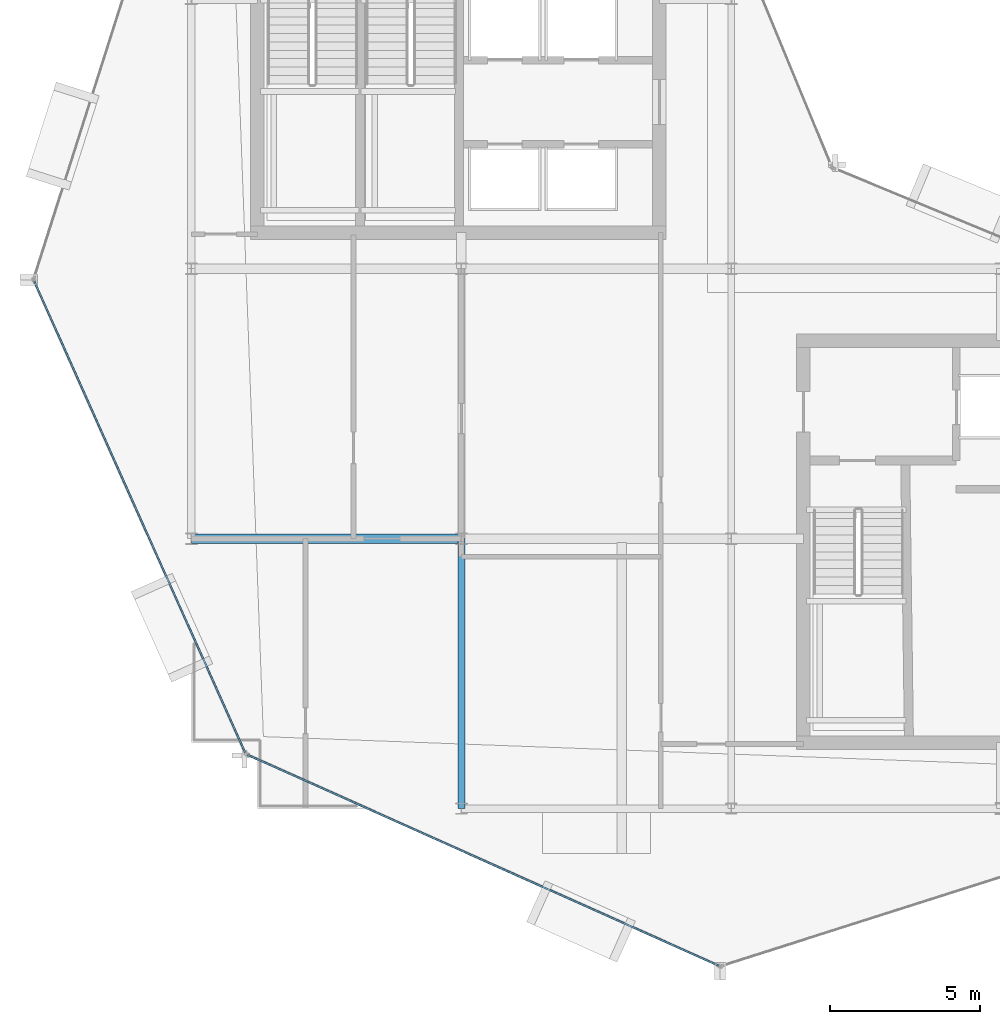
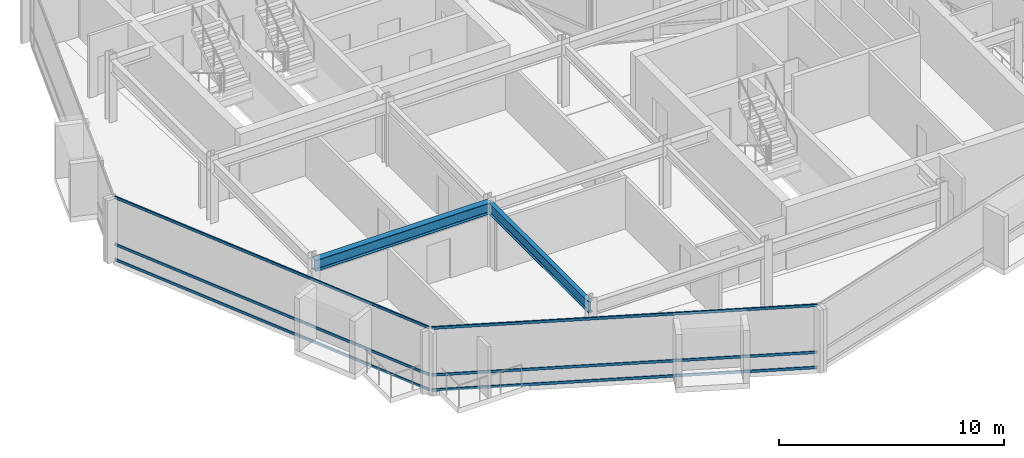
# One storey, part 3 of 19: 6 members, 2 beams, 2 elements without a shape of their own.
"""IFC4 building model written with IfcOpenShell, lengths in metres."""

from ifc_helpers import new_model, si_unit, direction, frame, origin, origin_2d, place, context, subcontext, project, spatial, hollow_rectangle, i_section, extrude, material, layer, layer_set, material_profile, profile_set, type_object, element, aggregate, save


model = new_model("IFC4")

# Units and contexts
model_context = context("Model", 3, precision=1e-05, world=origin(), true_north=direction((0.0, 1.0)))
body_context = subcontext(model_context, "Body", "Model", "MODEL_VIEW")
ifc_project = project(units=[si_unit("LENGTHUNIT", "METRE"), si_unit("AREAUNIT", "SQUARE_METRE"), si_unit("VOLUMEUNIT", "CUBIC_METRE"), si_unit("PLANEANGLEUNIT", "RADIAN"), si_unit("MASSUNIT", "GRAM", prefix="KILO")], contexts=[model_context])

# Site, building, storey
site_placement = place(None, origin())
site = spatial("IfcSite", under=ifc_project, at=site_placement, CompositionType="ELEMENT")
building_placement = place(site_placement, origin())
building = spatial("IfcBuilding", under=site, at=building_placement, Name="Solvaryn Broadcast Tower", CompositionType="ELEMENT")
storey_placement = place(building_placement, frame((0.0, 0.0, 274.10009765625)))
storey = spatial("IfcBuildingStorey", under=building, at=storey_placement, Name="L69", CompositionType="ELEMENT", Elevation=274.10009765625)

# Beams
ifc_material_1 = material(Name="Steel ASTM A992 Grade 50", Category="steel")
ifc_material_profile_1 = material_profile(ifc_material_1, i_section(OverallWidth=0.323974609375, OverallDepth=0.611083984375, WebThickness=0.0126953125, FlangeThickness=0.01904296875, FilletRadius=0.014892578125, at=origin_2d()))
ifc_profile_set_1 = profile_set([ifc_material_profile_1], Name="Steel ASTM A992 Grade 50")
beam_type_1 = type_object("IfcBeamType", Name="BM-B1-W24X104", PredefinedType="BEAM", material=ifc_profile_set_1)
beam_1_placement = place(storey_placement, frame((9.0, 18.0, 3.114501953125), z_axis=(1.0, 0.0, 0.0), x_axis=(0.0, 1.0, 0.0)))
element("IfcBeam", 1, at=beam_1_placement, inside=storey, type_object=beam_type_1, Name="L69 Primary Beam X (9-18 @ Y=18)", PredefinedType="BEAM", context=body_context, shape_type="SweptSolid", body=[
    extrude(i_section(OverallWidth=0.323974609375, OverallDepth=0.611083984375, WebThickness=0.0126953125, FlangeThickness=0.01904296875, FilletRadius=0.014892578125, at=origin_2d()), origin(), (0.0, 0.0, 1.0), 9.0),
])
ifc_material_2 = material(Name="Steel ASTM A992 Grade 50", Category="steel")
ifc_material_profile_2 = material_profile(ifc_material_2, i_section(OverallWidth=0.22802734375, OverallDepth=0.60791015625, WebThickness=0.01123046875, FlangeThickness=0.017333984375, FilletRadius=0.014892578125, at=origin_2d()))
ifc_profile_set_2 = profile_set([ifc_material_profile_2], Name="Steel ASTM A992 Grade 50")
beam_type_2 = type_object("IfcBeamType", Name="BM-B2-W24X76", PredefinedType="BEAM", material=ifc_profile_set_2)
beam_2_placement = place(storey_placement, frame((18.0, 9.0, 3.115966796875), z_axis=(0.0, 1.0, 0.0), x_axis=(-1.0, 0.0, 0.0)))
element("IfcBeam", 2, at=beam_2_placement, inside=storey, type_object=beam_type_2, Name="L69 Primary Beam Y (9-18 @ X=18)", PredefinedType="BEAM", context=body_context, shape_type="SweptSolid", body=[
    extrude(i_section(OverallWidth=0.22802734375, OverallDepth=0.60791015625, WebThickness=0.01123046875, FlangeThickness=0.017333984375, FilletRadius=0.014892578125, at=origin_2d()), origin(), (0.0, 0.0, 1.0), 9.0),
])

# Curtain wall, members
ifc_material_3 = material(Name="Aluminium and Terracotta Unitised Curtain Wall", Category="masonry")
ifc_layer = layer(ifc_material_3, 0.199951171875)
ifc_layer_set = layer_set([ifc_layer], Name="CW-SYS2-LOWMID")
curtain_wall_type = type_object("IfcCurtainWallType", Name="CW-SYS2-LOWMID", PredefinedType="NOTDEFINED", material=ifc_layer_set)
curtain_wall_1_placement = place(storey_placement, origin())
curtain_wall_1 = element("IfcCurtainWall", 3, at=curtain_wall_1_placement, inside=storey, type_object=curtain_wall_type, Name="L69 Curtain Wall DR2", PredefinedType="NOTDEFINED")
ifc_material_4 = material(Name="Anodised Aluminium 6063-T6", Category="aluminium")
ifc_material_profile_3 = material_profile(ifc_material_4, hollow_rectangle(XDim=0.06494140625, YDim=0.14990234375, WallThickness=0.00390625, InnerFilletRadius=0.00390625, OuterFilletRadius=0.008056640625, at=origin_2d()))
ifc_profile_set_3 = profile_set([ifc_material_profile_3], Name="Anodised Aluminium 6063-T6")
member_type = type_object("IfcMemberType", Name="CW-TRN-150", PredefinedType="USERDEFINED", material=ifc_profile_set_3)
member_1_placement = place(storey_placement, frame((3.762451171875, 26.581298828125, 0.02978515625), z_axis=(0.408468080937, -0.912772604133, 0.0), x_axis=(0.912772604133, 0.408468080937, 0.0)))
member_1 = element("IfcMember", 4, at=member_1_placement, type_object=member_type, Name="CWS2 transom 1.1", ObjectType="TRANSOM", PredefinedType="USERDEFINED", context=body_context, shape_type="SweptSolid", body=[
    extrude(hollow_rectangle(XDim=0.06494140625, YDim=0.14990234375, WallThickness=0.00390625, InnerFilletRadius=0.00390625, OuterFilletRadius=0.008056640625, at=origin_2d()), origin(), (0.0, 0.0, 1.0), 17.210693359375),
])
member_2_placement = place(storey_placement, frame((3.762451171875, 26.581298828125, 0.849853515625), z_axis=(0.408468080937, -0.912772604133, 0.0), x_axis=(0.912772604133, 0.408468080937, 0.0)))
member_2 = element("IfcMember", 5, at=member_2_placement, type_object=member_type, Name="CWS2 transom 1.2", ObjectType="TRANSOM", PredefinedType="USERDEFINED", context=body_context, shape_type="SweptSolid", body=[
    extrude(hollow_rectangle(XDim=0.06494140625, YDim=0.14990234375, WallThickness=0.00390625, InnerFilletRadius=0.00390625, OuterFilletRadius=0.008056640625, at=origin_2d()), origin(), (0.0, 0.0, 1.0), 17.210693359375),
])
member_3_placement = place(storey_placement, frame((3.762451171875, 26.581298828125, 3.389892578125), z_axis=(0.408468080937, -0.912772604133, 0.0), x_axis=(0.912772604133, 0.408468080937, 0.0)))
member_3 = element("IfcMember", 6, at=member_3_placement, type_object=member_type, Name="CWS2 transom 1.3", ObjectType="TRANSOM", PredefinedType="USERDEFINED", context=body_context, shape_type="SweptSolid", body=[
    extrude(hollow_rectangle(XDim=0.06494140625, YDim=0.14990234375, WallThickness=0.00390625, InnerFilletRadius=0.00390625, OuterFilletRadius=0.008056640625, at=origin_2d()), origin(), (0.0, 0.0, 1.0), 17.210693359375),
])
aggregate(curtain_wall_1, [member_1, member_2, member_3])

curtain_wall_2_placement = place(storey_placement, origin())
curtain_wall_2 = element("IfcCurtainWall", 7, at=curtain_wall_2_placement, inside=storey, type_object=curtain_wall_type, Name="L69 Curtain Wall DR3", PredefinedType="NOTDEFINED")
member_4_placement = place(storey_placement, frame((10.871826171875, 10.79248046875, 0.02978515625), z_axis=(0.912772604133, -0.408468080937, 0.0), x_axis=(0.408468080937, 0.912772604133, 0.0)))
member_4 = element("IfcMember", 8, at=member_4_placement, type_object=member_type, Name="CWS2 transom 1.1", ObjectType="TRANSOM", PredefinedType="USERDEFINED", context=body_context, shape_type="SweptSolid", body=[
    extrude(hollow_rectangle(XDim=0.06494140625, YDim=0.14990234375, WallThickness=0.00390625, InnerFilletRadius=0.00390625, OuterFilletRadius=0.008056640625, at=origin_2d()), origin(), (0.0, 0.0, 1.0), 17.210693359375),
])
member_5_placement = place(storey_placement, frame((10.871826171875, 10.79248046875, 0.849853515625), z_axis=(0.912772604133, -0.408468080937, 0.0), x_axis=(0.408468080937, 0.912772604133, 0.0)))
member_5 = element("IfcMember", 9, at=member_5_placement, type_object=member_type, Name="CWS2 transom 1.2", ObjectType="TRANSOM", PredefinedType="USERDEFINED", context=body_context, shape_type="SweptSolid", body=[
    extrude(hollow_rectangle(XDim=0.06494140625, YDim=0.14990234375, WallThickness=0.00390625, InnerFilletRadius=0.00390625, OuterFilletRadius=0.008056640625, at=origin_2d()), origin(), (0.0, 0.0, 1.0), 17.210693359375),
])
member_6_placement = place(storey_placement, frame((10.871826171875, 10.79248046875, 3.389892578125), z_axis=(0.912772604133, -0.408468080937, 0.0), x_axis=(0.408468080937, 0.912772604133, 0.0)))
member_6 = element("IfcMember", 10, at=member_6_placement, type_object=member_type, Name="CWS2 transom 1.3", ObjectType="TRANSOM", PredefinedType="USERDEFINED", context=body_context, shape_type="SweptSolid", body=[
    extrude(hollow_rectangle(XDim=0.06494140625, YDim=0.14990234375, WallThickness=0.00390625, InnerFilletRadius=0.00390625, OuterFilletRadius=0.008056640625, at=origin_2d()), origin(), (0.0, 0.0, 1.0), 17.210693359375),
])
aggregate(curtain_wall_2, [member_4, member_5, member_6])

save(model, "model.ifc")
